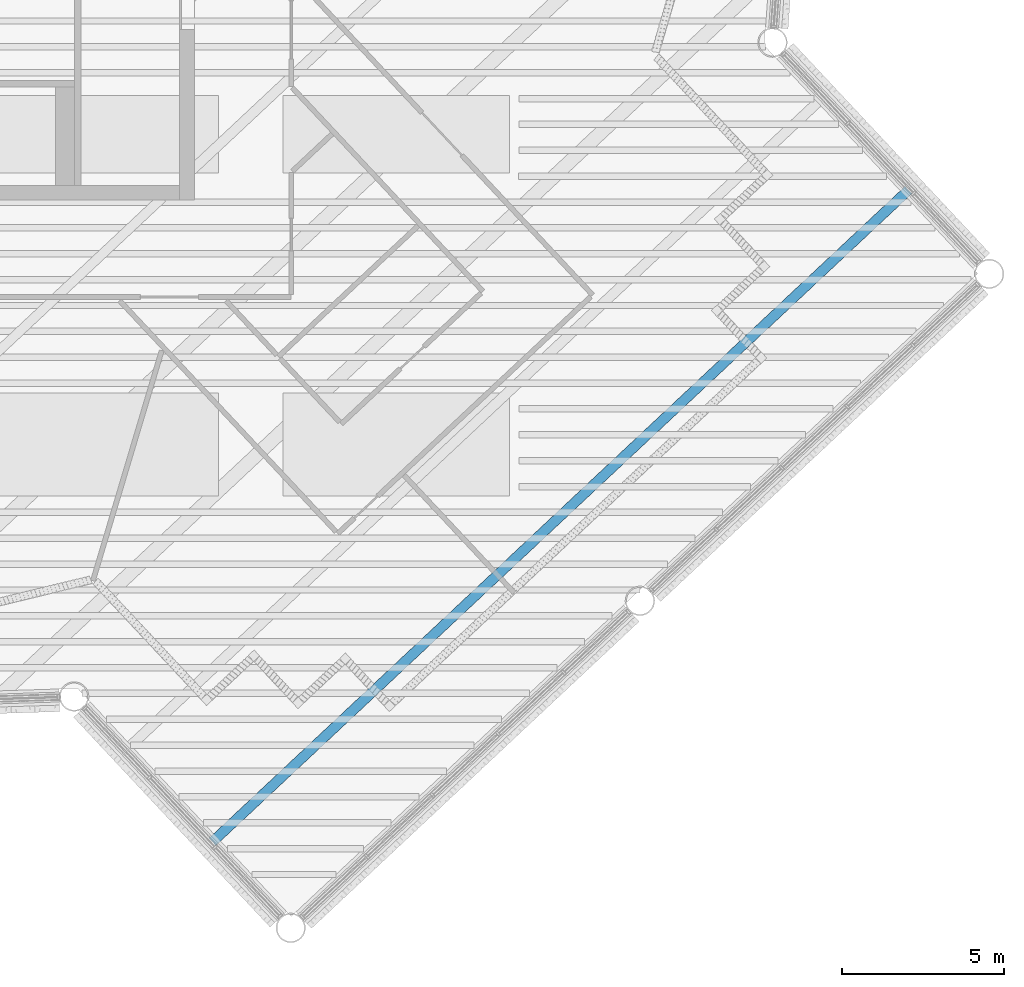
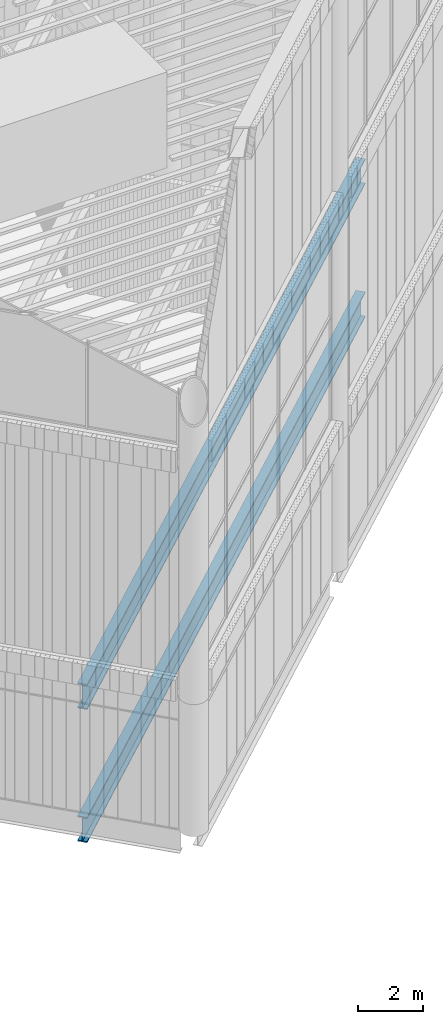
# One storey, part 64 of 117: 2 beams.
"""IFC4 building model written with IfcOpenShell, lengths in metres."""

from ifc_helpers import new_model, si_unit, direction, frame, origin, origin_2d, place, context, subcontext, project, spatial, i_section, extrude, material, material_profile, profile_set, type_object, element, save


model = new_model("IFC4")

# Units and contexts
model_context = context("Model", 3, precision=1e-05, world=origin(), true_north=direction((0.0, 1.0)))
body_context = subcontext(model_context, "Body", "Model", "MODEL_VIEW")
ifc_project = project(units=[si_unit("LENGTHUNIT", "METRE"), si_unit("AREAUNIT", "SQUARE_METRE"), si_unit("VOLUMEUNIT", "CUBIC_METRE"), si_unit("PLANEANGLEUNIT", "RADIAN"), si_unit("MASSUNIT", "GRAM", prefix="KILO")], contexts=[model_context])

# Site, building, storey
site_placement = place(None, origin())
site = spatial("IfcSite", under=ifc_project, at=site_placement, CompositionType="ELEMENT")
building_placement = place(site_placement, origin())
building = spatial("IfcBuilding", under=site, at=building_placement, Name="Tarsis Ring Headquarters", CompositionType="ELEMENT")
storey_placement = place(building_placement, frame((0.0, 0.0, 403.60009765625)))
storey = spatial("IfcBuildingStorey", under=building, at=storey_placement, Name="L95", CompositionType="ELEMENT", Elevation=403.60009765625)

# Beams
ifc_material = material(Name="Structural steel S355", Category="steel")
ifc_material_profile = material_profile(ifc_material, i_section(OverallWidth=0.309814453125, OverallDepth=0.949951171875, WebThickness=0.0244140625, FlangeThickness=0.0439453125, at=origin_2d()), Name="W36x256")
ifc_profile_set = profile_set([ifc_material_profile], Name="Structural steel S355")
beam_type = type_object("IfcBeamType", Name="FB Floor beam W36x256", PredefinedType="JOIST", material=ifc_profile_set)
for number, where, z_axis, x_axis, name in (
    (1, (10.5615234375, -32.85400390625, -0.775146484375), (0.729923245983, 0.683529117868, 0.0), (-0.683529117868, 0.729923245983, 0.0), "Floor beam FB11"),
    (2, (10.5615234375, -32.85400390625, 4.224853515625), (0.729923245983, 0.683529117868, 0.0), (-0.683529117868, 0.729923245983, 0.0), "Floor beam FB11"),
):
    element("IfcBeam", number, at=place(storey_placement, frame(where, z_axis=z_axis, x_axis=x_axis)), inside=storey, type_object=beam_type, Name=name, PredefinedType="JOIST", context=body_context, shape_type="SweptSolid", body=[
        extrude(i_section(OverallWidth=0.309814453125, OverallDepth=0.949951171875, WebThickness=0.0244140625, FlangeThickness=0.0439453125, at=origin_2d()), origin(), (0.0, 0.0, 1.0), 29.495361328125),
    ])

save(model, "model.ifc")
